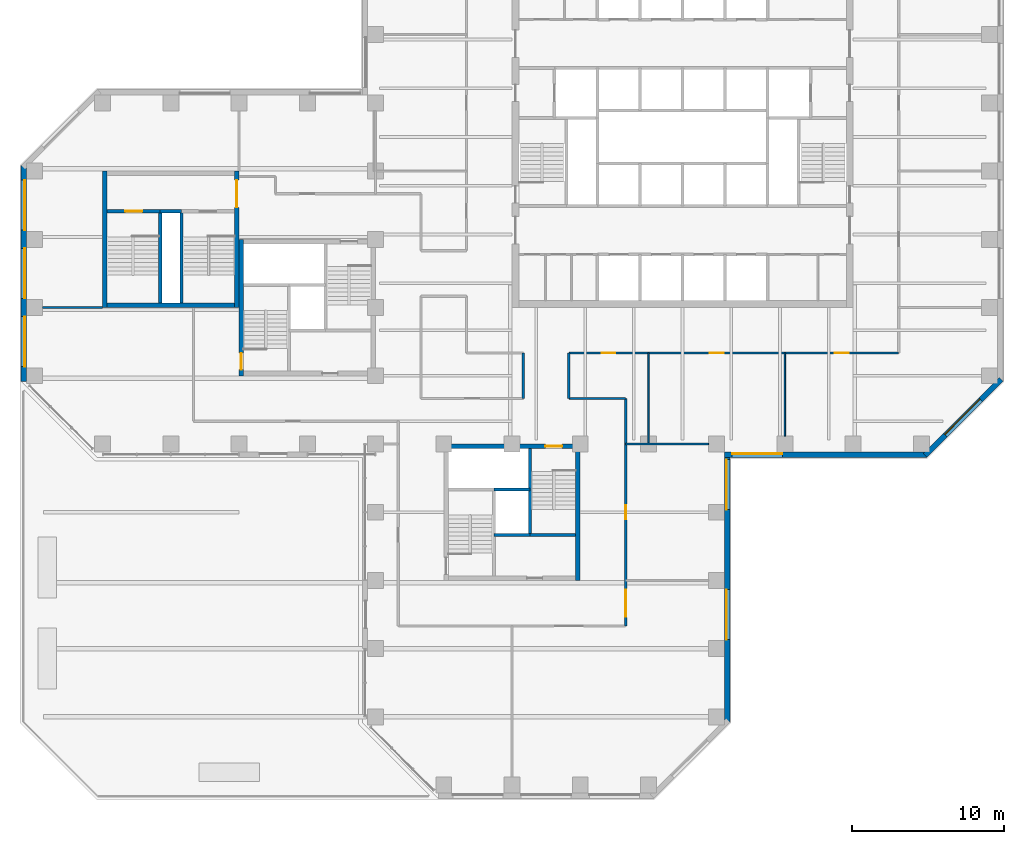
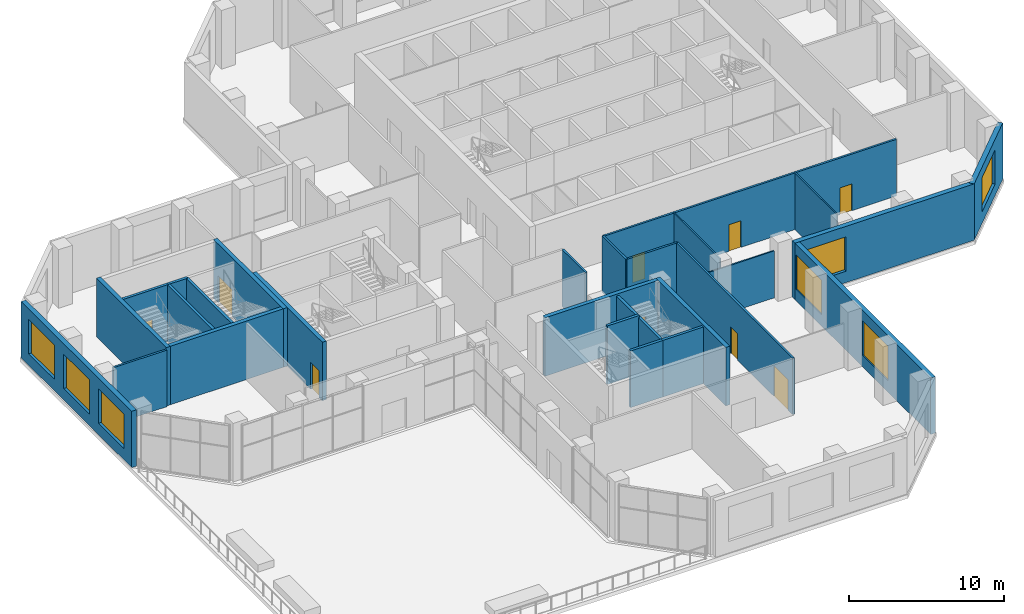
# One storey, part 7 of 14: 27 walls, 9 doors, 7 windows, 16 openings.
"""IFC4 building model written with IfcOpenShell, lengths in metres."""

from ifc_helpers import new_model, si_unit, direction, frame, frame_2d, origin, place, context, subcontext, project, spatial, rectangle, extrude, material, layer, layer_set, constituent, constituent_set, type_object, element, fill, save


model = new_model("IFC4")

# Units and contexts
model_context = context("Model", 3, precision=1e-05, world=origin(), true_north=direction((0.0, 1.0)))
body_context = subcontext(model_context, "Body", "Model", "MODEL_VIEW")
ifc_project = project(units=[si_unit("LENGTHUNIT", "METRE"), si_unit("AREAUNIT", "SQUARE_METRE"), si_unit("VOLUMEUNIT", "CUBIC_METRE"), si_unit("PLANEANGLEUNIT", "RADIAN"), si_unit("MASSUNIT", "GRAM", prefix="KILO")], contexts=[model_context])

# Site, building, storey
site_placement = place(None, origin())
site = spatial("IfcSite", under=ifc_project, at=site_placement, CompositionType="ELEMENT")
building_placement = place(site_placement, origin())
building = spatial("IfcBuilding", under=site, at=building_placement, Name="Quoin Convention Tower", CompositionType="ELEMENT")
storey_placement = place(building_placement, frame((0.0, 0.0, 74.300048828125)))
storey = spatial("IfcBuildingStorey", under=building, at=storey_placement, Name="L19", CompositionType="ELEMENT", Elevation=74.300048828125)

# Wall, opening, window
ifc_material_1 = material(Name="Brick masonry", Category="masonry")
ifc_layer_1 = layer(ifc_material_1, 0.35009765625)
ifc_layer_set_1 = layer_set([ifc_layer_1], Name="Brick masonry")
wall_type_1 = type_object("IfcWallType", Name="Brick facade wall", PredefinedType="STANDARD", material=ifc_layer_set_1)
wall_1_placement = place(storey_placement, frame((59.02490234375, 39.800048828125, 0.0), z_axis=(0.0, 0.0, 1.0), x_axis=(1.0, 0.0, 0.0)))
wall_1 = element("IfcWall", 1, at=wall_1_placement, inside=storey, type_object=wall_type_1, Name="fw-L19-58500_40500", PredefinedType="STANDARD", context=body_context, shape_type="SweptSolid", body=[
    extrude(rectangle(XDim=13.33740234375, YDim=0.35009765625, at=frame_2d((6.668701171875, 0.0))), origin(), (0.0, 0.0, 1.0), 4.425048828125),
])
opening_1_placement = place(wall_1_placement, frame((0.5, 0.0, 0.89990234375)))
opening_1 = element("IfcOpeningElement", 2, at=opening_1_placement, cuts=wall_1, Name="Opening W-03", PredefinedType="OPENING", context=body_context, shape_type="SweptSolid", body=[
    extrude(rectangle(XDim=3.300048828125, YDim=2.699951171875, at=frame_2d((1.64990234375, 1.35009765625))), frame((0.0, 0.18505859375, 0.0), z_axis=(0.0, -1.0, 0.0), x_axis=(1.0, 0.0, 0.0)), (0.0, 0.0, 1.0), 0.3701171875),
])
ifc_material_2 = material(Name="Aluminium", Category="aluminium")
ifc_constituent_1 = constituent(ifc_material_2, Name="Frame")
ifc_material_3 = material(Name="Insulated glass", Category="glass")
ifc_constituent_2 = constituent(ifc_material_3, Name="Glazing")
ifc_constituent_set = constituent_set(constituents=[ifc_constituent_1, ifc_constituent_2], Name="Aluminium")
window_type = type_object("IfcWindowType", Name="Sky lobby window", PartitioningType="DOUBLE_PANEL_VERTICAL", PredefinedType="WINDOW", material=ifc_constituent_set)
window_1_placement = place(opening_1_placement, origin())
window_1 = element("IfcWindow", 3, at=window_1_placement, inside=storey, type_object=window_type, Name="win-L19-60750_39800", OverallHeight=2.699951171875, OverallWidth=3.300048828125, PartitioningType="SINGLE_PANEL", PredefinedType="WINDOW", context=body_context, shape_type="SweptSolid", body=[
    extrude(rectangle(XDim=3.300048828125, YDim=2.699951171875, at=frame_2d((1.64990234375, 1.35009765625))), frame((0.0, 0.0849609375, 0.0), z_axis=(0.0, -1.0, 0.0), x_axis=(1.0, 0.0, 0.0)), (0.0, 0.0, 1.0), 0.06005859375),
])
fill(opening_1, window_1)

wall_2_placement = place(storey_placement, frame((72.23876953125, 39.748779296875, 0.0), z_axis=(0.0, 0.0, 1.0), x_axis=(0.707106781187, 0.707106781187, 0.0)))
wall_2 = element("IfcWall", 4, at=wall_2_placement, inside=storey, type_object=wall_type_1, Name="fw-L19-72000_40500", PredefinedType="STANDARD", context=body_context, shape_type="SweptSolid", body=[
    extrude(rectangle(XDim=7.088623046875, YDim=0.35009765625, at=frame_2d((3.54443359375, 0.0))), origin(), (0.0, 0.0, 1.0), 4.425048828125),
])
opening_2_placement = place(wall_2_placement, frame((1.894287109375, 0.0, 0.89990234375)))
opening_2 = element("IfcOpeningElement", 5, at=opening_2_placement, cuts=wall_2, Name="Opening W-03", PredefinedType="OPENING", context=body_context, shape_type="SweptSolid", body=[
    extrude(rectangle(XDim=3.300048828125, YDim=2.699951171875, at=frame_2d((1.64990234375, 1.35009765625))), frame((0.0, 0.18505859375, 0.0), z_axis=(0.0, -1.0, 0.0), x_axis=(1.0, 0.0, 0.0)), (0.0, 0.0, 1.0), 0.3701171875),
])
window_2_placement = place(opening_2_placement, origin())
window_2 = element("IfcWindow", 6, at=window_2_placement, inside=storey, type_object=window_type, Name="win-L19-74745_42255", OverallHeight=2.699951171875, OverallWidth=3.300048828125, PartitioningType="SINGLE_PANEL", PredefinedType="WINDOW", context=body_context, shape_type="SweptSolid", body=[
    extrude(rectangle(XDim=3.300048828125, YDim=2.699951171875, at=frame_2d((1.64990234375, 1.35009765625))), frame((0.0, 0.0849609375, 0.0), z_axis=(0.0, -1.0, 0.0), x_axis=(1.0, 0.0, 0.0)), (0.0, 0.0, 1.0), 0.06005859375),
])
fill(opening_2, window_2)

# Wall, openings, windows
wall_3_placement = place(storey_placement, frame((12.800048828125, 58.8623046875, 0.0), z_axis=(0.0, 0.0, 1.0), x_axis=(0.0, -1.0, 0.0)))
wall_3 = element("IfcWall", 7, at=wall_3_placement, inside=storey, type_object=wall_type_1, Name="fw-L19-13500_58500", PredefinedType="STANDARD", context=body_context, shape_type="SweptSolid", body=[
    extrude(rectangle(XDim=14.224609375, YDim=0.35009765625, at=frame_2d((7.1123046875, 0.0))), origin(), (0.0, 0.0, 1.0), 4.425048828125),
])
opening_3_placement = place(wall_3_placement, frame((0.96240234375, 0.0, 0.89990234375)))
opening_3 = element("IfcOpeningElement", 8, at=opening_3_placement, cuts=wall_3, Name="Opening W-03", PredefinedType="OPENING", context=body_context, shape_type="SweptSolid", body=[
    extrude(rectangle(XDim=3.300048828125, YDim=2.699951171875, at=frame_2d((1.64990234375, 1.35009765625))), frame((0.0, 0.18505859375, 0.0), z_axis=(0.0, -1.0, 0.0), x_axis=(1.0, 0.0, 0.0)), (0.0, 0.0, 1.0), 0.3701171875),
])
opening_4_placement = place(wall_3_placement, frame((5.46240234375, 0.0, 0.89990234375)))
opening_4 = element("IfcOpeningElement", 9, at=opening_4_placement, cuts=wall_3, Name="Opening W-03", PredefinedType="OPENING", context=body_context, shape_type="SweptSolid", body=[
    extrude(rectangle(XDim=3.300048828125, YDim=2.699951171875, at=frame_2d((1.64990234375, 1.35009765625))), frame((0.0, 0.18505859375, 0.0), z_axis=(0.0, -1.0, 0.0), x_axis=(1.0, 0.0, 0.0)), (0.0, 0.0, 1.0), 0.3701171875),
])
opening_5_placement = place(wall_3_placement, frame((9.96240234375, 0.0, 0.89990234375)))
opening_5 = element("IfcOpeningElement", 10, at=opening_5_placement, cuts=wall_3, Name="Opening W-03", PredefinedType="OPENING", context=body_context, shape_type="SweptSolid", body=[
    extrude(rectangle(XDim=3.300048828125, YDim=2.699951171875, at=frame_2d((1.64990234375, 1.35009765625))), frame((0.0, 0.18505859375, 0.0), z_axis=(0.0, -1.0, 0.0), x_axis=(1.0, 0.0, 0.0)), (0.0, 0.0, 1.0), 0.3701171875),
])
window_3_placement = place(opening_3_placement, origin())
window_3 = element("IfcWindow", 11, at=window_3_placement, inside=storey, type_object=window_type, Name="win-L19-12800_56250", OverallHeight=2.699951171875, OverallWidth=3.300048828125, PartitioningType="SINGLE_PANEL", PredefinedType="WINDOW", context=body_context, shape_type="SweptSolid", body=[
    extrude(rectangle(XDim=3.300048828125, YDim=2.699951171875, at=frame_2d((1.64990234375, 1.35009765625))), frame((0.0, 0.0849609375, 0.0), z_axis=(0.0, -1.0, 0.0), x_axis=(1.0, 0.0, 0.0)), (0.0, 0.0, 1.0), 0.06005859375),
])
fill(opening_3, window_3)
window_4_placement = place(opening_4_placement, origin())
window_4 = element("IfcWindow", 12, at=window_4_placement, inside=storey, type_object=window_type, Name="win-L19-12800_51750", OverallHeight=2.699951171875, OverallWidth=3.300048828125, PartitioningType="SINGLE_PANEL", PredefinedType="WINDOW", context=body_context, shape_type="SweptSolid", body=[
    extrude(rectangle(XDim=3.300048828125, YDim=2.699951171875, at=frame_2d((1.64990234375, 1.35009765625))), frame((0.0, 0.0849609375, 0.0), z_axis=(0.0, -1.0, 0.0), x_axis=(1.0, 0.0, 0.0)), (0.0, 0.0, 1.0), 0.06005859375),
])
fill(opening_4, window_4)
window_5_placement = place(opening_5_placement, origin())
window_5 = element("IfcWindow", 13, at=window_5_placement, inside=storey, type_object=window_type, Name="win-L19-12800_47250", OverallHeight=2.699951171875, OverallWidth=3.300048828125, PartitioningType="SINGLE_PANEL", PredefinedType="WINDOW", context=body_context, shape_type="SweptSolid", body=[
    extrude(rectangle(XDim=3.300048828125, YDim=2.699951171875, at=frame_2d((1.64990234375, 1.35009765625))), frame((0.0, 0.0849609375, 0.0), z_axis=(0.0, -1.0, 0.0), x_axis=(1.0, 0.0, 0.0)), (0.0, 0.0, 1.0), 0.06005859375),
])
fill(opening_5, window_5)

wall_4_placement = place(storey_placement, frame((59.199951171875, 22.1376953125, 0.0), z_axis=(0.0, 0.0, 1.0), x_axis=(0.0, 1.0, 0.0)))
wall_4 = element("IfcWall", 14, at=wall_4_placement, inside=storey, type_object=wall_type_1, Name="fw-L19-58500_22500", PredefinedType="STANDARD", context=body_context, shape_type="SweptSolid", body=[
    extrude(rectangle(XDim=17.83740234375, YDim=0.35009765625, at=frame_2d((8.918701171875, 0.0))), origin(), (0.0, 0.0, 1.0), 4.425048828125),
])
opening_6_placement = place(wall_4_placement, frame((5.46240234375, 0.0, 0.89990234375)))
opening_6 = element("IfcOpeningElement", 15, at=opening_6_placement, cuts=wall_4, Name="Opening W-03", PredefinedType="OPENING", context=body_context, shape_type="SweptSolid", body=[
    extrude(rectangle(XDim=3.300048828125, YDim=2.699951171875, at=frame_2d((1.64990234375, 1.35009765625))), frame((0.0, 0.18505859375, 0.0), z_axis=(0.0, -1.0, 0.0), x_axis=(1.0, 0.0, 0.0)), (0.0, 0.0, 1.0), 0.3701171875),
])
opening_7_placement = place(wall_4_placement, frame((14.037353515625, 0.0, 0.89990234375)))
opening_7 = element("IfcOpeningElement", 16, at=opening_7_placement, cuts=wall_4, Name="Opening W-03", PredefinedType="OPENING", context=body_context, shape_type="SweptSolid", body=[
    extrude(rectangle(XDim=3.300048828125, YDim=2.699951171875, at=frame_2d((1.64990234375, 1.35009765625))), frame((0.0, 0.18505859375, 0.0), z_axis=(0.0, -1.0, 0.0), x_axis=(1.0, 0.0, 0.0)), (0.0, 0.0, 1.0), 0.3701171875),
])
window_6_placement = place(opening_6_placement, origin())
window_6 = element("IfcWindow", 17, at=window_6_placement, inside=storey, type_object=window_type, Name="win-L19-59200_29250", OverallHeight=2.699951171875, OverallWidth=3.300048828125, PartitioningType="SINGLE_PANEL", PredefinedType="WINDOW", context=body_context, shape_type="SweptSolid", body=[
    extrude(rectangle(XDim=3.300048828125, YDim=2.699951171875, at=frame_2d((1.64990234375, 1.35009765625))), frame((0.0, 0.0849609375, 0.0), z_axis=(0.0, -1.0, 0.0), x_axis=(1.0, 0.0, 0.0)), (0.0, 0.0, 1.0), 0.06005859375),
])
fill(opening_6, window_6)
window_7_placement = place(opening_7_placement, origin())
window_7 = element("IfcWindow", 18, at=window_7_placement, inside=storey, type_object=window_type, Name="win-L19-59200_38250", OverallHeight=2.699951171875, OverallWidth=3.300048828125, PartitioningType="SINGLE_PANEL", PredefinedType="WINDOW", context=body_context, shape_type="SweptSolid", body=[
    extrude(rectangle(XDim=3.300048828125, YDim=2.699951171875, at=frame_2d((1.64990234375, 1.35009765625))), frame((0.0, 0.0849609375, 0.0), z_axis=(0.0, -1.0, 0.0), x_axis=(1.0, 0.0, 0.0)), (0.0, 0.0, 1.0), 0.06005859375),
])
fill(opening_7, window_7)

# Walls
ifc_material_4 = material(Name="Concrete C50", Category="concrete")
ifc_layer_2 = layer(ifc_material_4, 0.199951171875)
ifc_layer_set_2 = layer_set([ifc_layer_2], Name="Concrete C50")
wall_type_2 = type_object("IfcWallType", Name="Core shaft wall", PredefinedType="SOLIDWALL", material=ifc_layer_set_2)
wall_5_placement = place(storey_placement, frame((43.800048828125, 34.5, 0.0), z_axis=(0.0, 0.0, 1.0), x_axis=(1.0, 0.0, 0.0)))
element("IfcWall", 19, at=wall_5_placement, inside=storey, type_object=wall_type_2, Name="cr-P3-L19-h3000_3300", PredefinedType="SOLIDWALL", context=body_context, shape_type="SweptSolid", body=[
    extrude(rectangle(XDim=2.39990234375, YDim=0.199951171875, at=frame_2d((1.199951171875, 0.0))), origin(), (0.0, 0.0, 1.0), 4.449951171875),
])
wall_6_placement = place(storey_placement, frame((46.199951171875, 34.5, 0.0), z_axis=(0.0, 0.0, 1.0), x_axis=(1.0, 0.0, 0.0)))
element("IfcWall", 20, at=wall_6_placement, inside=storey, type_object=wall_type_2, Name="cr-P3-L19-h3000_5700", PredefinedType="SOLIDWALL", context=body_context, shape_type="SweptSolid", body=[
    extrude(rectangle(XDim=3.0, YDim=0.199951171875, at=frame_2d((1.5, 0.0))), origin(), (0.0, 0.0, 1.0), 4.449951171875),
])
wall_7_placement = place(storey_placement, frame((46.199951171875, 34.5, 0.0), z_axis=(0.0, 0.0, 1.0), x_axis=(0.0, 1.0, 0.0)))
element("IfcWall", 21, at=wall_7_placement, inside=storey, type_object=wall_type_2, Name="cr-P3-L19-v5700_3000", PredefinedType="SOLIDWALL", context=body_context, shape_type="SweptSolid", body=[
    extrude(rectangle(XDim=5.699951171875, YDim=0.199951171875, at=frame_2d((2.85009765625, 0.0))), origin(), (0.0, 0.0, 1.0), 4.449951171875),
])
wall_8_placement = place(storey_placement, frame((21.800048828125, 55.85009765625, 0.0), z_axis=(0.0, 0.0, 1.0), x_axis=(1.0, 0.0, 0.0)))
element("IfcWall", 22, at=wall_8_placement, inside=storey, type_object=wall_type_2, Name="cr-P6-L19-h6350_3800", PredefinedType="SOLIDWALL", context=body_context, shape_type="SweptSolid", body=[
    extrude(rectangle(XDim=1.39990234375, YDim=0.199951171875, at=frame_2d((0.699951171875, 0.0))), origin(), (0.0, 0.0, 1.0), 4.449951171875),
])

# Wall, opening, door
wall_9_placement = place(storey_placement, frame((18.300048828125, 55.85009765625, 0.0), z_axis=(0.0, 0.0, 1.0), x_axis=(1.0, 0.0, 0.0)))
wall_9 = element("IfcWall", 23, at=wall_9_placement, inside=storey, type_object=wall_type_2, Name="cr-P6-L19-h6350_300", PredefinedType="SOLIDWALL", context=body_context, shape_type="SweptSolid", body=[
    extrude(rectangle(XDim=3.5, YDim=0.199951171875, at=frame_2d((1.75, 0.0))), origin(), (0.0, 0.0, 1.0), 4.449951171875),
])
opening_8_placement = place(wall_9_placement, frame((1.199951171875, 0.0, 0.0)))
opening_8 = element("IfcOpeningElement", 24, at=opening_8_placement, cuts=wall_9, Name="Opening SD11", PredefinedType="OPENING", context=body_context, shape_type="SweptSolid", body=[
    extrude(rectangle(XDim=1.10009765625, YDim=2.10009765625, at=frame_2d((0.550048828125, 1.050048828125))), frame((0.0, 0.10986328125, 0.0), z_axis=(0.0, -1.0, 0.0), x_axis=(1.0, 0.0, 0.0)), (0.0, 0.0, 1.0), 0.219970703125),
])
ifc_material_5 = material(Name="Steel door leaf", Category="steel")
door_type_1 = type_object("IfcDoorType", Name="Stair door 1100 x 2100", OperationType="SINGLE_SWING_RIGHT", PredefinedType="DOOR", material=ifc_material_5)
door_1_placement = place(opening_8_placement, origin())
door_1 = element("IfcDoor", 25, at=door_1_placement, inside=storey, type_object=door_type_1, Name="cd-P6-L19-SA-R2-SD11", OperationType="SINGLE_SWING_RIGHT", OverallHeight=2.10009765625, OverallWidth=1.10009765625, PredefinedType="DOOR", context=body_context, shape_type="SweptSolid", body=[
    extrude(rectangle(XDim=1.10009765625, YDim=2.10009765625, at=frame_2d((0.550048828125, 1.050048828125))), frame((0.0, 0.02490234375, 0.0), z_axis=(0.0, -1.0, 0.0), x_axis=(1.0, 0.0, 0.0)), (0.0, 0.0, 1.0), 0.050048828125),
])
fill(opening_8, door_1)

# Walls
for number, where, z_axis, x_axis, name in (
    (26, (21.800048828125, 49.800048828125, 0.0), (0.0, 0.0, 1.0), (0.0, 1.0, 0.0), "cr-P6-L19-v3800_300"),
    (27, (23.199951171875, 49.800048828125, 0.0), (0.0, 0.0, 1.0), (0.0, 1.0, 0.0), "cr-P6-L19-v5200_300"),
):
    element("IfcWall", number, at=place(storey_placement, frame(where, z_axis=z_axis, x_axis=x_axis)), inside=storey, type_object=wall_type_2, Name=name, PredefinedType="SOLIDWALL", context=body_context, shape_type="SweptSolid", body=[
        extrude(rectangle(XDim=6.050048828125, YDim=0.199951171875, at=frame_2d((3.02490234375, 0.0))), origin(), (0.0, 0.0, 1.0), 4.449951171875),
    ])
ifc_layer_3 = layer(ifc_material_4, 0.199951171875)
ifc_layer_set_3 = layer_set([ifc_layer_3], Name="Concrete C50")
wall_type_3 = type_object("IfcWallType", Name="Core shaft wall to the floor level over", PredefinedType="SOLIDWALL", material=ifc_layer_set_3)
wall_10_placement = place(storey_placement, frame((43.800048828125, 37.5, 0.0), z_axis=(0.0, 0.0, 1.0), x_axis=(1.0, 0.0, 0.0)))
element("IfcWall", 28, at=wall_10_placement, inside=storey, type_object=wall_type_3, Name="cr-P3-L19-h6000_3300", PredefinedType="SOLIDWALL", context=body_context, shape_type="SweptSolid", body=[
    extrude(rectangle(XDim=2.39990234375, YDim=0.199951171875, at=frame_2d((1.199951171875, 0.0))), origin(), (0.0, 0.0, 1.0), 4.599853515625),
])

# Wall, opening, door
ifc_material_6 = material(Name="Concrete C65", Category="concrete")
ifc_layer_4 = layer(ifc_material_6, 0.300048828125)
ifc_layer_set_4 = layer_set([ifc_layer_4], Name="Concrete C65")
wall_type_4 = type_object("IfcWallType", Name="RC CORE WALL 300 C65", PredefinedType="SHEAR", material=ifc_layer_set_4)
wall_11_placement = place(storey_placement, frame((27.14990234375, 45.0, 0.0), z_axis=(0.0, 0.0, 1.0), x_axis=(0.0, 1.0, 0.0)))
wall_11 = element("IfcWall", 29, at=wall_11_placement, inside=storey, type_object=wall_type_4, Name="cwl-P2-L19-W", PredefinedType="SHEAR", context=body_context, shape_type="SweptSolid", body=[
    extrude(rectangle(XDim=9.0, YDim=0.300048828125, at=frame_2d((4.5, 0.0))), origin(), (0.0, 0.0, 1.0), 4.599853515625),
])
opening_9_placement = place(wall_11_placement, frame((0.39990234375, 0.0, 0.0)))
opening_9 = element("IfcOpeningElement", 30, at=opening_9_placement, cuts=wall_11, Name="Opening SD3", PredefinedType="OPENING", context=body_context, shape_type="SweptSolid", body=[
    extrude(rectangle(XDim=1.10009765625, YDim=2.10009765625, at=frame_2d((0.550048828125, 1.050048828125))), frame((0.0, 0.159912109375, 0.0), z_axis=(0.0, -1.0, 0.0), x_axis=(1.0, 0.0, 0.0)), (0.0, 0.0, 1.0), 0.320068359375),
])
door_2_placement = place(opening_9_placement, frame((1.10009765625, 0.0, 0.0), z_axis=(0.0, 0.0, 1.0), x_axis=(-1.0, 0.0, 0.0)))
door_2 = element("IfcDoor", 31, at=door_2_placement, inside=storey, type_object=door_type_1, Name="cd-P2-L19-SA-W", OperationType="SINGLE_SWING_RIGHT", OverallHeight=2.10009765625, OverallWidth=1.10009765625, PredefinedType="DOOR", context=body_context, shape_type="SweptSolid", body=[
    extrude(rectangle(XDim=1.10009765625, YDim=2.10009765625, at=frame_2d((0.550048828125, 1.050048828125))), frame((0.0, 0.02490234375, 0.0), z_axis=(0.0, -1.0, 0.0), x_axis=(1.0, 0.0, 0.0)), (0.0, 0.0, 1.0), 0.050048828125),
])
fill(opening_9, door_2)

wall_12_placement = place(storey_placement, frame((40.800048828125, 40.35009765625, 0.0), z_axis=(0.0, 0.0, 1.0), x_axis=(1.0, 0.0, 0.0)))
wall_12 = element("IfcWall", 32, at=wall_12_placement, inside=storey, type_object=wall_type_4, Name="cwl-P3-L19-N", PredefinedType="SHEAR", context=body_context, shape_type="SweptSolid", body=[
    extrude(rectangle(XDim=8.39990234375, YDim=0.300048828125, at=frame_2d((4.199951171875, 0.0))), origin(), (0.0, 0.0, 1.0), 4.599853515625),
])
opening_10_placement = place(wall_12_placement, frame((6.39990234375, 0.0, 0.0)))
opening_10 = element("IfcOpeningElement", 33, at=opening_10_placement, cuts=wall_12, Name="Opening SD6", PredefinedType="OPENING", context=body_context, shape_type="SweptSolid", body=[
    extrude(rectangle(XDim=1.10009765625, YDim=2.10009765625, at=frame_2d((0.550048828125, 1.050048828125))), frame((0.0, 0.159912109375, 0.0), z_axis=(0.0, -1.0, 0.0), x_axis=(1.0, 0.0, 0.0)), (0.0, 0.0, 1.0), 0.320068359375),
])
door_3_placement = place(opening_10_placement, frame((1.10009765625, 0.0, 0.0), z_axis=(0.0, 0.0, 1.0), x_axis=(-1.0, 0.0, 0.0)))
door_3 = element("IfcDoor", 34, at=door_3_placement, inside=storey, type_object=door_type_1, Name="cd-P3-L19-SB-N", OperationType="SINGLE_SWING_LEFT", OverallHeight=2.10009765625, OverallWidth=1.10009765625, PredefinedType="DOOR", context=body_context, shape_type="SweptSolid", body=[
    extrude(rectangle(XDim=1.10009765625, YDim=2.10009765625, at=frame_2d((0.550048828125, 1.050048828125))), frame((0.0, 0.02490234375, 0.0), z_axis=(0.0, -1.0, 0.0), x_axis=(1.0, 0.0, 0.0)), (0.0, 0.0, 1.0), 0.050048828125),
])
fill(opening_10, door_3)

# Walls
wall_13_placement = place(storey_placement, frame((49.35009765625, 31.5, 0.0), z_axis=(0.0, 0.0, 1.0), x_axis=(0.0, 1.0, 0.0)))
element("IfcWall", 35, at=wall_13_placement, inside=storey, type_object=wall_type_4, Name="cwl-P3-L19-E", PredefinedType="SHEAR", context=body_context, shape_type="SweptSolid", body=[
    extrude(rectangle(XDim=9.0, YDim=0.300048828125, at=frame_2d((4.5, 0.0))), origin(), (0.0, 0.0, 1.0), 4.599853515625),
])
wall_14_placement = place(storey_placement, frame((18.300048828125, 49.64990234375, 0.0), z_axis=(0.0, 0.0, 1.0), x_axis=(1.0, 0.0, 0.0)))
element("IfcWall", 36, at=wall_14_placement, inside=storey, type_object=wall_type_4, Name="cwl-P6-L19-S", PredefinedType="SHEAR", context=body_context, shape_type="SweptSolid", body=[
    extrude(rectangle(XDim=8.39990234375, YDim=0.300048828125, at=frame_2d((4.199951171875, 0.0))), origin(), (0.0, 0.0, 1.0), 4.599853515625),
])
wall_15_placement = place(storey_placement, frame((18.14990234375, 49.5, 0.0), z_axis=(0.0, 0.0, 1.0), x_axis=(0.0, 1.0, 0.0)))
element("IfcWall", 37, at=wall_15_placement, inside=storey, type_object=wall_type_4, Name="cwl-P6-L19-W", PredefinedType="SHEAR", context=body_context, shape_type="SweptSolid", body=[
    extrude(rectangle(XDim=9.0, YDim=0.300048828125, at=frame_2d((4.5, 0.0))), origin(), (0.0, 0.0, 1.0), 4.599853515625),
])

# Wall, opening, door
wall_16_placement = place(storey_placement, frame((26.85009765625, 49.5, 0.0), z_axis=(0.0, 0.0, 1.0), x_axis=(0.0, 1.0, 0.0)))
wall_16 = element("IfcWall", 38, at=wall_16_placement, inside=storey, type_object=wall_type_4, Name="cwl-P6-L19-E", PredefinedType="SHEAR", context=body_context, shape_type="SweptSolid", body=[
    extrude(rectangle(XDim=9.0, YDim=0.300048828125, at=frame_2d((4.5, 0.0))), origin(), (0.0, 0.0, 1.0), 4.599853515625),
])
opening_11_placement = place(wall_16_placement, frame((6.60009765625, 0.0, 0.0)))
opening_11 = element("IfcOpeningElement", 39, at=opening_11_placement, cuts=wall_16, Name="Opening DCV1-54", PredefinedType="OPENING", context=body_context, shape_type="SweptSolid", body=[
    extrude(rectangle(XDim=1.800048828125, YDim=2.10009765625, at=frame_2d((0.89990234375, 1.050048828125))), frame((0.0, 0.159912109375, 0.0), z_axis=(0.0, -1.0, 0.0), x_axis=(1.0, 0.0, 0.0)), (0.0, 0.0, 1.0), 0.320068359375),
])
door_type_2 = type_object("IfcDoorType", Name="Goods lobby door 1800 x 2100", OperationType="SINGLE_SWING_LEFT", PredefinedType="DOOR", material=ifc_material_5)
door_4_placement = place(opening_11_placement, origin())
door_4 = element("IfcDoor", 40, at=door_4_placement, inside=storey, type_object=door_type_2, Name="cd-P6-L19-R2-E", OperationType="SINGLE_SWING_LEFT", OverallHeight=2.10009765625, OverallWidth=1.800048828125, PredefinedType="DOOR", context=body_context, shape_type="SweptSolid", body=[
    extrude(rectangle(XDim=1.800048828125, YDim=2.10009765625, at=frame_2d((0.89990234375, 1.050048828125))), frame((0.0, 0.02490234375, 0.0), z_axis=(0.0, -1.0, 0.0), x_axis=(1.0, 0.0, 0.0)), (0.0, 0.0, 1.0), 0.050048828125),
])
fill(opening_11, door_4)

# Walls
ifc_material_7 = material(Name="Plasterboard")
ifc_layer_5 = layer(ifc_material_7, 0.012451171875, Name="Finish")
ifc_material_8 = material(Name="Steel stud framing", Category="steel")
ifc_layer_6 = layer(ifc_material_8, 0.074951171875, Name="Structure")
ifc_layer_7 = layer(ifc_material_7, 0.012451171875, Name="Finish")
ifc_layer_set_5 = layer_set([ifc_layer_5, ifc_layer_6, ifc_layer_7], Name="Steel stud framing")
wall_type_5 = type_object("IfcWallType", Name="bathroom partition", PredefinedType="PARTITIONING", material=ifc_layer_set_5)
wall_17_placement = place(storey_placement, frame((54.0, 40.5, 0.0), z_axis=(0.0, 0.0, 1.0), x_axis=(0.0, 1.0, 0.0)))
element("IfcWall", 41, at=wall_17_placement, inside=storey, type_object=wall_type_5, Name="pw-L19-003", PredefinedType="PARTITIONING", context=body_context, shape_type="SweptSolid", body=[
    extrude(rectangle(XDim=6.0, YDim=0.10009765625, at=frame_2d((3.0, 0.0))), origin(), (0.0, 0.0, 1.0), 4.449951171875),
])
wall_18_placement = place(storey_placement, frame((63.0, 41.02490234375, 0.0), z_axis=(0.0, 0.0, 1.0), x_axis=(0.0, 1.0, 0.0)))
element("IfcWall", 42, at=wall_18_placement, inside=storey, type_object=wall_type_5, Name="pw-L19-004", PredefinedType="PARTITIONING", context=body_context, shape_type="SweptSolid", body=[
    extrude(rectangle(XDim=5.47509765625, YDim=0.10009765625, at=frame_2d((2.737548828125, 0.0))), origin(), (0.0, 0.0, 1.0), 4.449951171875),
])
ifc_layer_8 = layer(ifc_material_7, 0.012451171875, Name="Finish")
ifc_layer_9 = layer(ifc_material_8, 0.074951171875, Name="Structure")
ifc_layer_10 = layer(ifc_material_7, 0.012451171875, Name="Finish")
ifc_layer_set_6 = layer_set([ifc_layer_8, ifc_layer_9, ifc_layer_10], Name="Steel stud framing")
wall_type_6 = type_object("IfcWallType", Name="bathroom partition under beam 750", PredefinedType="PARTITIONING", material=ifc_layer_set_6)
wall_19_placement = place(storey_placement, frame((52.5, 40.5, 0.0), z_axis=(0.0, 0.0, 1.0), x_axis=(1.0, 0.0, 0.0)))
element("IfcWall", 43, at=wall_19_placement, inside=storey, type_object=wall_type_6, Name="pw-L19-002", PredefinedType="PARTITIONING", context=body_context, shape_type="SweptSolid", body=[
    extrude(rectangle(XDim=5.47509765625, YDim=0.10009765625, at=frame_2d((2.737548828125, 0.0))), origin(), (0.0, 0.0, 1.0), 3.699951171875),
])

# Wall, openings, doors
ifc_layer_11 = layer(ifc_material_7, 0.012451171875, Name="Finish")
ifc_layer_12 = layer(ifc_material_8, 0.125, Name="Structure")
ifc_layer_13 = layer(ifc_material_7, 0.012451171875, Name="Finish")
ifc_layer_set_7 = layer_set([ifc_layer_11, ifc_layer_12, ifc_layer_13], Name="Steel stud framing")
wall_type_7 = type_object("IfcWallType", Name="corridor partition", PredefinedType="PARTITIONING", material=ifc_layer_set_7)
wall_20_placement = place(storey_placement, frame((52.5, 28.5, 0.0), z_axis=(0.0, 0.0, 1.0), x_axis=(0.0, 1.0, 0.0)))
wall_20 = element("IfcWall", 44, at=wall_20_placement, inside=storey, type_object=wall_type_7, Name="pw-L19-012", PredefinedType="PARTITIONING", context=body_context, shape_type="SweptSolid", body=[
    extrude(rectangle(XDim=15.0, YDim=0.14990234375, at=frame_2d((7.5, 0.0))), origin(), (0.0, 0.0, 1.0), 4.449951171875),
])
opening_12_placement = place(wall_20_placement, frame((0.60009765625, 0.0, 0.0)))
opening_12 = element("IfcOpeningElement", 45, at=opening_12_placement, cuts=wall_20, Name="Opening DSKY-19-03", PredefinedType="OPENING", context=body_context, shape_type="SweptSolid", body=[
    extrude(rectangle(XDim=1.800048828125, YDim=2.39990234375, at=frame_2d((0.89990234375, 1.199951171875))), frame((0.0, 0.0849609375, 0.0), z_axis=(0.0, -1.0, 0.0), x_axis=(1.0, 0.0, 0.0)), (0.0, 0.0, 1.0), 0.169921875),
])
opening_13_placement = place(wall_20_placement, frame((7.050048828125, 0.0, 0.0)))
opening_13 = element("IfcOpeningElement", 46, at=opening_13_placement, cuts=wall_20, Name="Opening DSKY-19-04", PredefinedType="OPENING", context=body_context, shape_type="SweptSolid", body=[
    extrude(rectangle(XDim=0.89990234375, YDim=2.10009765625, at=frame_2d((0.449951171875, 1.050048828125))), frame((0.0, 0.0849609375, 0.0), z_axis=(0.0, -1.0, 0.0), x_axis=(1.0, 0.0, 0.0)), (0.0, 0.0, 1.0), 0.169921875),
])
door_type_3 = type_object("IfcDoorType", Name="Glazed double door", OperationType="DOUBLE_DOOR_SINGLE_SWING", PredefinedType="DOOR", material=ifc_material_5)
door_5_placement = place(opening_12_placement, frame((1.800048828125, 0.0, 0.0), z_axis=(0.0, 0.0, 1.0), x_axis=(-1.0, 0.0, 0.0)))
door_5 = element("IfcDoor", 47, at=door_5_placement, inside=storey, type_object=door_type_3, Name="dr-L19-002", OperationType="DOUBLE_DOOR_SINGLE_SWING", OverallHeight=2.39990234375, OverallWidth=1.800048828125, PredefinedType="DOOR", context=body_context, shape_type="SweptSolid", body=[
    extrude(rectangle(XDim=1.800048828125, YDim=2.39990234375, at=frame_2d((0.89990234375, 1.199951171875))), frame((0.0, 0.02490234375, 0.0), z_axis=(0.0, -1.0, 0.0), x_axis=(1.0, 0.0, 0.0)), (0.0, 0.0, 1.0), 0.050048828125),
])
fill(opening_12, door_5)
door_type_4 = type_object("IfcDoorType", Name="Toilet door", OperationType="SINGLE_SWING_LEFT", PredefinedType="DOOR", material=ifc_material_5)
door_6_placement = place(opening_13_placement, frame((0.89990234375, 0.0, 0.0), z_axis=(0.0, 0.0, 1.0), x_axis=(-1.0, 0.0, 0.0)))
door_6 = element("IfcDoor", 48, at=door_6_placement, inside=storey, type_object=door_type_4, Name="dr-L19-004", OperationType="SINGLE_SWING_LEFT", OverallHeight=2.10009765625, OverallWidth=0.89990234375, PredefinedType="DOOR", context=body_context, shape_type="SweptSolid", body=[
    extrude(rectangle(XDim=0.89990234375, YDim=2.10009765625, at=frame_2d((0.449951171875, 1.050048828125))), frame((0.0, 0.02490234375, 0.0), z_axis=(0.0, -1.0, 0.0), x_axis=(1.0, 0.0, 0.0)), (0.0, 0.0, 1.0), 0.050048828125),
])
fill(opening_13, door_6)

# Walls
wall_21_placement = place(storey_placement, frame((45.75, 43.5, 0.0), z_axis=(0.0, 0.0, 1.0), x_axis=(0.0, 1.0, 0.0)))
element("IfcWall", 49, at=wall_21_placement, inside=storey, type_object=wall_type_7, Name="pw-L19-017", PredefinedType="PARTITIONING", context=body_context, shape_type="SweptSolid", body=[
    extrude(rectangle(XDim=3.0, YDim=0.14990234375, at=frame_2d((1.5, 0.0))), origin(), (0.0, 0.0, 1.0), 4.449951171875),
])
wall_22_placement = place(storey_placement, frame((48.75, 43.5, 0.0), z_axis=(0.0, 0.0, 1.0), x_axis=(1.0, 0.0, 0.0)))
element("IfcWall", 50, at=wall_22_placement, inside=storey, type_object=wall_type_7, Name="pw-L19-018", PredefinedType="PARTITIONING", context=body_context, shape_type="SweptSolid", body=[
    extrude(rectangle(XDim=3.75, YDim=0.14990234375, at=frame_2d((1.875, 0.0))), origin(), (0.0, 0.0, 1.0), 4.449951171875),
])
wall_23_placement = place(storey_placement, frame((48.75, 43.5, 0.0), z_axis=(0.0, 0.0, 1.0), x_axis=(0.0, 1.0, 0.0)))
element("IfcWall", 51, at=wall_23_placement, inside=storey, type_object=wall_type_7, Name="pw-L19-019", PredefinedType="PARTITIONING", context=body_context, shape_type="SweptSolid", body=[
    extrude(rectangle(XDim=3.0, YDim=0.14990234375, at=frame_2d((1.5, 0.0))), origin(), (0.0, 0.0, 1.0), 4.449951171875),
])

# Wall, openings, doors
wall_24_placement = place(storey_placement, frame((48.75, 46.5, 0.0), z_axis=(0.0, 0.0, 1.0), x_axis=(1.0, 0.0, 0.0)))
wall_24 = element("IfcWall", 52, at=wall_24_placement, inside=storey, type_object=wall_type_7, Name="pw-L19-022", PredefinedType="PARTITIONING", context=body_context, shape_type="SweptSolid", body=[
    extrude(rectangle(XDim=21.75, YDim=0.14990234375, at=frame_2d((10.875, 0.0))), origin(), (0.0, 0.0, 1.0), 4.449951171875),
])
opening_14_placement = place(wall_24_placement, frame((9.300048828125, 0.0, 0.0)))
opening_14 = element("IfcOpeningElement", 53, at=opening_14_placement, cuts=wall_24, Name="Opening DSKY-19-08", PredefinedType="OPENING", context=body_context, shape_type="SweptSolid", body=[
    extrude(rectangle(XDim=0.89990234375, YDim=2.10009765625, at=frame_2d((0.449951171875, 1.050048828125))), frame((0.0, 0.0849609375, 0.0), z_axis=(0.0, -1.0, 0.0), x_axis=(1.0, 0.0, 0.0)), (0.0, 0.0, 1.0), 0.169921875),
])
opening_15_placement = place(wall_24_placement, frame((2.175048828125, 0.0, 0.0)))
opening_15 = element("IfcOpeningElement", 54, at=opening_15_placement, cuts=wall_24, Name="Opening DSKY-19-07", PredefinedType="OPENING", context=body_context, shape_type="SweptSolid", body=[
    extrude(rectangle(XDim=0.89990234375, YDim=2.10009765625, at=frame_2d((0.449951171875, 1.050048828125))), frame((0.0, 0.0849609375, 0.0), z_axis=(0.0, -1.0, 0.0), x_axis=(1.0, 0.0, 0.0)), (0.0, 0.0, 1.0), 0.169921875),
])
opening_16_placement = place(wall_24_placement, frame((17.550048828125, 0.0, 0.0)))
opening_16 = element("IfcOpeningElement", 55, at=opening_16_placement, cuts=wall_24, Name="Opening DSKY-19-09", PredefinedType="OPENING", context=body_context, shape_type="SweptSolid", body=[
    extrude(rectangle(XDim=0.89990234375, YDim=2.10009765625, at=frame_2d((0.449951171875, 1.050048828125))), frame((0.0, 0.0849609375, 0.0), z_axis=(0.0, -1.0, 0.0), x_axis=(1.0, 0.0, 0.0)), (0.0, 0.0, 1.0), 0.169921875),
])
door_type_5 = type_object("IfcDoorType", Name="Service room door", OperationType="SINGLE_SWING_LEFT", PredefinedType="DOOR", material=ifc_material_5)
door_7_placement = place(opening_15_placement, frame((0.89990234375, 0.0, 0.0), z_axis=(0.0, 0.0, 1.0), x_axis=(-1.0, 0.0, 0.0)))
door_7 = element("IfcDoor", 56, at=door_7_placement, inside=storey, type_object=door_type_5, Name="dr-L19-006", OperationType="SINGLE_SWING_LEFT", OverallHeight=2.10009765625, OverallWidth=0.89990234375, PredefinedType="DOOR", context=body_context, shape_type="SweptSolid", body=[
    extrude(rectangle(XDim=0.89990234375, YDim=2.10009765625, at=frame_2d((0.449951171875, 1.050048828125))), frame((0.0, 0.02490234375, 0.0), z_axis=(0.0, -1.0, 0.0), x_axis=(1.0, 0.0, 0.0)), (0.0, 0.0, 1.0), 0.050048828125),
])
fill(opening_15, door_7)
door_type_6 = type_object("IfcDoorType", Name="Single room door", OperationType="SINGLE_SWING_RIGHT", PredefinedType="DOOR", material=ifc_material_5)
door_8_placement = place(opening_16_placement, frame((0.89990234375, 0.0, 0.0), z_axis=(0.0, 0.0, 1.0), x_axis=(-1.0, 0.0, 0.0)))
door_8 = element("IfcDoor", 57, at=door_8_placement, inside=storey, type_object=door_type_6, Name="dr-L19-007", OperationType="SINGLE_SWING_RIGHT", OverallHeight=2.10009765625, OverallWidth=0.89990234375, PredefinedType="DOOR", context=body_context, shape_type="SweptSolid", body=[
    extrude(rectangle(XDim=0.89990234375, YDim=2.10009765625, at=frame_2d((0.449951171875, 1.050048828125))), frame((0.0, 0.02490234375, 0.0), z_axis=(0.0, -1.0, 0.0), x_axis=(1.0, 0.0, 0.0)), (0.0, 0.0, 1.0), 0.050048828125),
])
fill(opening_16, door_8)
door_9_placement = place(opening_14_placement, frame((0.89990234375, 0.0, 0.0), z_axis=(0.0, 0.0, 1.0), x_axis=(-1.0, 0.0, 0.0)))
door_9 = element("IfcDoor", 58, at=door_9_placement, inside=storey, type_object=door_type_4, Name="dr-L19-005", OperationType="SINGLE_SWING_LEFT", OverallHeight=2.10009765625, OverallWidth=0.89990234375, PredefinedType="DOOR", context=body_context, shape_type="SweptSolid", body=[
    extrude(rectangle(XDim=0.89990234375, YDim=2.10009765625, at=frame_2d((0.449951171875, 1.050048828125))), frame((0.0, 0.02490234375, 0.0), z_axis=(0.0, -1.0, 0.0), x_axis=(1.0, 0.0, 0.0)), (0.0, 0.0, 1.0), 0.050048828125),
])
fill(opening_14, door_9)

# Wall
ifc_layer_14 = layer(ifc_material_7, 0.012451171875, Name="Finish")
ifc_layer_15 = layer(ifc_material_8, 0.125, Name="Structure")
ifc_layer_16 = layer(ifc_material_7, 0.012451171875, Name="Finish")
ifc_layer_set_8 = layer_set([ifc_layer_14, ifc_layer_15, ifc_layer_16], Name="Steel stud framing")
wall_type_8 = type_object("IfcWallType", Name="room partition", PredefinedType="PARTITIONING", material=ifc_layer_set_8)
wall_25_placement = place(storey_placement, frame((14.02490234375, 49.5, 0.0), z_axis=(0.0, 0.0, 1.0), x_axis=(1.0, 0.0, 0.0)))
element("IfcWall", 59, at=wall_25_placement, inside=storey, type_object=wall_type_8, Name="pw-L19-032", PredefinedType="PARTITIONING", context=body_context, shape_type="SweptSolid", body=[
    extrude(rectangle(XDim=3.97509765625, YDim=0.14990234375, at=frame_2d((1.987548828125, 0.0))), origin(), (0.0, 0.0, 1.0), 4.449951171875),
])

save(model, "model.ifc")
